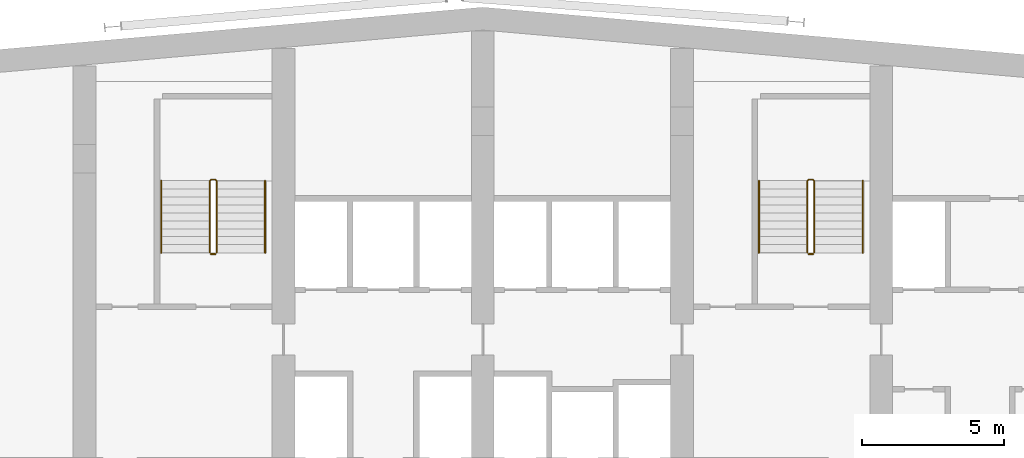
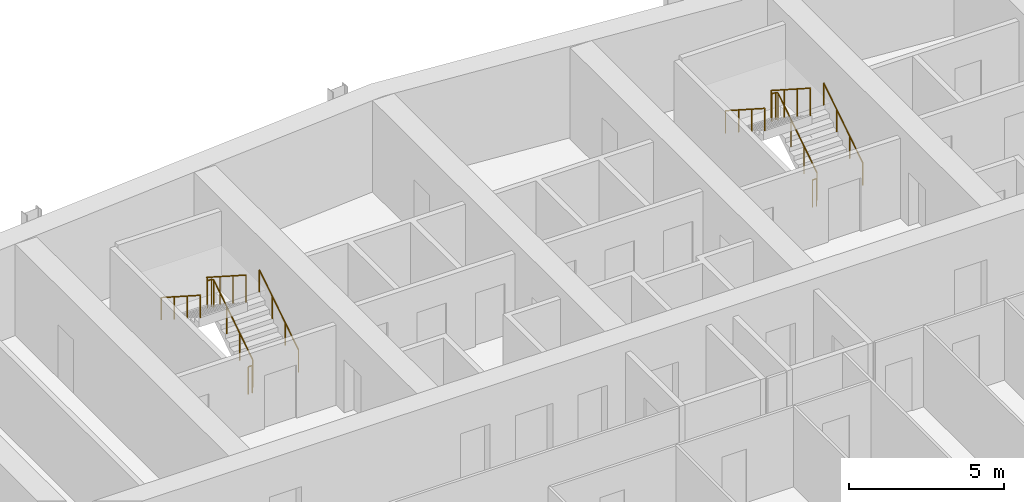
# One storey, part 24 of 24: 8 railings.
"""IFC4 building model written with IfcOpenShell, lengths in metres."""

from ifc_helpers import new_model, si_unit, direction, frame, origin, origin_2d, place, context, subcontext, project, spatial, circle, extrude, material, type_object, element, save


model = new_model("IFC4")

# Units and contexts
model_context = context("Model", 3, precision=1e-05, world=origin(), true_north=direction((0.0, 1.0)))
body_context = subcontext(model_context, "Body", "Model", "MODEL_VIEW")
ifc_project = project(units=[si_unit("LENGTHUNIT", "METRE"), si_unit("AREAUNIT", "SQUARE_METRE"), si_unit("VOLUMEUNIT", "CUBIC_METRE"), si_unit("PLANEANGLEUNIT", "RADIAN"), si_unit("MASSUNIT", "GRAM", prefix="KILO")], contexts=[model_context])

# Site, building, storey
site_placement = place(None, origin())
site = spatial("IfcSite", under=ifc_project, at=site_placement, CompositionType="ELEMENT")
building_placement = place(site_placement, origin())
building = spatial("IfcBuilding", under=site, at=building_placement, Name="Wharfspan Tower", CompositionType="ELEMENT")
storey_placement = place(building_placement, frame((0.0, 0.0, 198.699951)))
storey = spatial("IfcBuildingStorey", under=building, at=storey_placement, Name="L49", CompositionType="ELEMENT", Elevation=198.699951)

# Railings
ifc_material = material(Name="Steel S355J2", Category="steel")
railing_type_1 = type_object("IfcRailingType", Name="Stair guard 1100", PredefinedType="GUARDRAIL", material=ifc_material)
railing_1_placement = place(storey_placement, frame((27.649902, 42.0, 0.179932)))
element("IfcRailing", 1, at=railing_1_placement, inside=storey, type_object=railing_type_1, Name="L49 ST1 stair guard 1", PredefinedType="GUARDRAIL", context=body_context, shape_type="SweptSolid", body=[
    extrude(circle(Radius=0.023926, at=origin_2d()), frame((0.0, 0.0, 1.076172), z_axis=(0.0, 0.841163, 0.540782), x_axis=(-1.0, 0.0, 0.0)), (0.0, 0.0, 1.0), 2.99585),
    extrude(circle(Radius=0.023926, at=origin_2d()), frame((0.0, 2.52002, 2.696289), z_axis=(-0.705376, 0.708834, 0.0), x_axis=(-0.708834, -0.705376, 0.0)), (0.0, 0.0, 1.0), 0.070557),
    extrude(circle(Radius=0.023926, at=origin_2d()), frame((-0.049805, 2.570068, 2.696289), z_axis=(-1.0, 0.0, 0.0), x_axis=(0.0, -1.0, 0.0)), (0.0, 0.0, 1.0), 0.150146),
    extrude(circle(Radius=0.023926, at=origin_2d()), frame((-0.199951, 2.570068, 2.696289), z_axis=(-0.258848, -0.258848, 0.930589), x_axis=(0.707107, -0.707107, 0.0)), (0.0, 0.0, 1.0), 0.193359),
    extrude(circle(Radius=0.023926, at=origin_2d()), frame((-0.25, 2.52002, 2.875977), z_axis=(0.0, -0.841163, 0.540782), x_axis=(1.0, 0.0, 0.0)), (0.0, 0.0, 1.0), 2.99585),
    extrude(circle(Radius=0.020996, at=origin_2d()), origin(), (0.0, 0.0, 1.0), 1.052002),
    extrude(circle(Radius=0.020996, at=origin_2d()), frame((0.0, 0.840088, 0.540039)), (0.0, 0.0, 1.0), 1.052002),
    extrude(circle(Radius=0.020996, at=origin_2d()), frame((0.0, 1.679932, 1.080078)), (0.0, 0.0, 1.0), 1.052002),
    extrude(circle(Radius=0.020996, at=origin_2d()), frame((0.0, 2.52002, 1.620117)), (0.0, 0.0, 1.0), 1.052002),
    extrude(circle(Radius=0.020996, at=origin_2d()), frame((-0.049805, 2.570068, 1.620117)), (0.0, 0.0, 1.0), 1.052002),
    extrude(circle(Radius=0.020996, at=origin_2d()), frame((-0.199951, 2.570068, 1.620117)), (0.0, 0.0, 1.0), 1.052002),
    extrude(circle(Radius=0.020996, at=origin_2d()), frame((-0.25, 2.52002, 1.800049)), (0.0, 0.0, 1.0), 1.052002),
    extrude(circle(Radius=0.020996, at=origin_2d()), frame((-0.25, 1.679932, 2.340088)), (0.0, 0.0, 1.0), 1.052002),
    extrude(circle(Radius=0.020996, at=origin_2d()), frame((-0.25, 0.840088, 2.880127)), (0.0, 0.0, 1.0), 1.052002),
    extrude(circle(Radius=0.020996, at=origin_2d()), frame((-0.25, 0.0, 3.420166)), (0.0, 0.0, 1.0), 1.052002),
])
railing_2_placement = place(storey_placement, frame((27.600098, 41.949951, 0.0)))
element("IfcRailing", 2, at=railing_2_placement, inside=storey, type_object=railing_type_1, Name="L49 ST1 stair guard 2", PredefinedType="GUARDRAIL", context=body_context, shape_type="SweptSolid", body=[
    extrude(circle(Radius=0.023926, at=origin_2d()), frame((0.0, 0.0, 1.076172), z_axis=(-1.0, 0.0, 0.0), x_axis=(0.0, -1.0, 0.0)), (0.0, 0.0, 1.0), 0.150146),
    extrude(circle(Radius=0.020996, at=origin_2d()), origin(), (0.0, 0.0, 1.0), 1.052002),
    extrude(circle(Radius=0.020996, at=origin_2d()), frame((-0.150146, 0.0, 0.0)), (0.0, 0.0, 1.0), 1.052002),
])
railing_3_placement = place(storey_placement, frame((48.649902, 42.0, 0.179932)))
element("IfcRailing", 3, at=railing_3_placement, inside=storey, type_object=railing_type_1, Name="L49 ST2 stair guard 1", PredefinedType="GUARDRAIL", context=body_context, shape_type="SweptSolid", body=[
    extrude(circle(Radius=0.023926, at=origin_2d()), frame((0.0, 0.0, 1.076172), z_axis=(0.0, 0.841163, 0.540782), x_axis=(-1.0, 0.0, 0.0)), (0.0, 0.0, 1.0), 2.99585),
    extrude(circle(Radius=0.023926, at=origin_2d()), frame((0.0, 2.52002, 2.696289), z_axis=(-0.705376, 0.708834, 0.0), x_axis=(-0.708834, -0.705376, 0.0)), (0.0, 0.0, 1.0), 0.070557),
    extrude(circle(Radius=0.023926, at=origin_2d()), frame((-0.049805, 2.570068, 2.696289), z_axis=(-1.0, 0.0, 0.0), x_axis=(0.0, -1.0, 0.0)), (0.0, 0.0, 1.0), 0.150146),
    extrude(circle(Radius=0.023926, at=origin_2d()), frame((-0.199951, 2.570068, 2.696289), z_axis=(-0.258848, -0.258848, 0.930589), x_axis=(0.707107, -0.707107, 0.0)), (0.0, 0.0, 1.0), 0.193359),
    extrude(circle(Radius=0.023926, at=origin_2d()), frame((-0.25, 2.52002, 2.875977), z_axis=(0.0, -0.841163, 0.540782), x_axis=(1.0, 0.0, 0.0)), (0.0, 0.0, 1.0), 2.99585),
    extrude(circle(Radius=0.020996, at=origin_2d()), origin(), (0.0, 0.0, 1.0), 1.052002),
    extrude(circle(Radius=0.020996, at=origin_2d()), frame((0.0, 0.840088, 0.540039)), (0.0, 0.0, 1.0), 1.052002),
    extrude(circle(Radius=0.020996, at=origin_2d()), frame((0.0, 1.679932, 1.080078)), (0.0, 0.0, 1.0), 1.052002),
    extrude(circle(Radius=0.020996, at=origin_2d()), frame((0.0, 2.52002, 1.620117)), (0.0, 0.0, 1.0), 1.052002),
    extrude(circle(Radius=0.020996, at=origin_2d()), frame((-0.049805, 2.570068, 1.620117)), (0.0, 0.0, 1.0), 1.052002),
    extrude(circle(Radius=0.020996, at=origin_2d()), frame((-0.199951, 2.570068, 1.620117)), (0.0, 0.0, 1.0), 1.052002),
    extrude(circle(Radius=0.020996, at=origin_2d()), frame((-0.25, 2.52002, 1.800049)), (0.0, 0.0, 1.0), 1.052002),
    extrude(circle(Radius=0.020996, at=origin_2d()), frame((-0.25, 1.679932, 2.340088)), (0.0, 0.0, 1.0), 1.052002),
    extrude(circle(Radius=0.020996, at=origin_2d()), frame((-0.25, 0.840088, 2.880127)), (0.0, 0.0, 1.0), 1.052002),
    extrude(circle(Radius=0.020996, at=origin_2d()), frame((-0.25, 0.0, 3.420166)), (0.0, 0.0, 1.0), 1.052002),
])
railing_4_placement = place(storey_placement, frame((48.600098, 41.949951, 0.0)))
element("IfcRailing", 4, at=railing_4_placement, inside=storey, type_object=railing_type_1, Name="L49 ST2 stair guard 2", PredefinedType="GUARDRAIL", context=body_context, shape_type="SweptSolid", body=[
    extrude(circle(Radius=0.023926, at=origin_2d()), frame((0.0, 0.0, 1.076172), z_axis=(-1.0, 0.0, 0.0), x_axis=(0.0, -1.0, 0.0)), (0.0, 0.0, 1.0), 0.150146),
    extrude(circle(Radius=0.020996, at=origin_2d()), origin(), (0.0, 0.0, 1.0), 1.052002),
    extrude(circle(Radius=0.020996, at=origin_2d()), frame((-0.150146, 0.0, 0.0)), (0.0, 0.0, 1.0), 1.052002),
])
railing_type_2 = type_object("IfcRailingType", Name="Stair handrail 900", PredefinedType="HANDRAIL", material=ifc_material)
railing_5_placement = place(storey_placement, frame((29.350098, 42.0, 0.179932)))
element("IfcRailing", 5, at=railing_5_placement, inside=storey, type_object=railing_type_2, Name="L49 ST1 stair handrail 1", PredefinedType="HANDRAIL", context=body_context, shape_type="SweptSolid", body=[
    extrude(circle(Radius=0.023926, at=origin_2d()), frame((0.0, 0.0, 0.875977), z_axis=(0.0, 0.841163, 0.540782), x_axis=(-1.0, 0.0, 0.0)), (0.0, 0.0, 1.0), 2.99585),
    extrude(circle(Radius=0.020996, at=origin_2d()), origin(), (0.0, 0.0, 1.0), 0.851807),
    extrude(circle(Radius=0.020996, at=origin_2d()), frame((0.0, 0.840088, 0.540039)), (0.0, 0.0, 1.0), 0.851807),
    extrude(circle(Radius=0.020996, at=origin_2d()), frame((0.0, 1.679932, 1.080078)), (0.0, 0.0, 1.0), 0.851807),
    extrude(circle(Radius=0.020996, at=origin_2d()), frame((0.0, 2.52002, 1.620117)), (0.0, 0.0, 1.0), 0.851807),
])
railing_6_placement = place(storey_placement, frame((25.699951, 44.52002, 1.97998)))
element("IfcRailing", 6, at=railing_6_placement, inside=storey, type_object=railing_type_2, Name="L49 ST1 stair handrail 2", PredefinedType="HANDRAIL", context=body_context, shape_type="SweptSolid", body=[
    extrude(circle(Radius=0.023926, at=origin_2d()), frame((0.0, 0.0, 0.875977), z_axis=(0.0, -0.841163, 0.540782), x_axis=(1.0, 0.0, 0.0)), (0.0, 0.0, 1.0), 2.99585),
    extrude(circle(Radius=0.020996, at=origin_2d()), origin(), (0.0, 0.0, 1.0), 0.851807),
    extrude(circle(Radius=0.020996, at=origin_2d()), frame((0.0, -0.840088, 0.540039)), (0.0, 0.0, 1.0), 0.851807),
    extrude(circle(Radius=0.020996, at=origin_2d()), frame((0.0, -1.679932, 1.080078)), (0.0, 0.0, 1.0), 0.851807),
    extrude(circle(Radius=0.020996, at=origin_2d()), frame((0.0, -2.52002, 1.620117)), (0.0, 0.0, 1.0), 0.851807),
])
railing_7_placement = place(storey_placement, frame((50.350098, 42.0, 0.179932)))
element("IfcRailing", 7, at=railing_7_placement, inside=storey, type_object=railing_type_2, Name="L49 ST2 stair handrail 1", PredefinedType="HANDRAIL", context=body_context, shape_type="SweptSolid", body=[
    extrude(circle(Radius=0.023926, at=origin_2d()), frame((0.0, 0.0, 0.875977), z_axis=(0.0, 0.841163, 0.540782), x_axis=(-1.0, 0.0, 0.0)), (0.0, 0.0, 1.0), 2.99585),
    extrude(circle(Radius=0.020996, at=origin_2d()), origin(), (0.0, 0.0, 1.0), 0.851807),
    extrude(circle(Radius=0.020996, at=origin_2d()), frame((0.0, 0.840088, 0.540039)), (0.0, 0.0, 1.0), 0.851807),
    extrude(circle(Radius=0.020996, at=origin_2d()), frame((0.0, 1.679932, 1.080078)), (0.0, 0.0, 1.0), 0.851807),
    extrude(circle(Radius=0.020996, at=origin_2d()), frame((0.0, 2.52002, 1.620117)), (0.0, 0.0, 1.0), 0.851807),
])
railing_8_placement = place(storey_placement, frame((46.699951, 44.52002, 1.97998)))
element("IfcRailing", 8, at=railing_8_placement, inside=storey, type_object=railing_type_2, Name="L49 ST2 stair handrail 2", PredefinedType="HANDRAIL", context=body_context, shape_type="SweptSolid", body=[
    extrude(circle(Radius=0.023926, at=origin_2d()), frame((0.0, 0.0, 0.875977), z_axis=(0.0, -0.841163, 0.540782), x_axis=(1.0, 0.0, 0.0)), (0.0, 0.0, 1.0), 2.99585),
    extrude(circle(Radius=0.020996, at=origin_2d()), origin(), (0.0, 0.0, 1.0), 0.851807),
    extrude(circle(Radius=0.020996, at=origin_2d()), frame((0.0, -0.840088, 0.540039)), (0.0, 0.0, 1.0), 0.851807),
    extrude(circle(Radius=0.020996, at=origin_2d()), frame((0.0, -1.679932, 1.080078)), (0.0, 0.0, 1.0), 0.851807),
    extrude(circle(Radius=0.020996, at=origin_2d()), frame((0.0, -2.52002, 1.620117)), (0.0, 0.0, 1.0), 0.851807),
])

save(model, "model.ifc")
